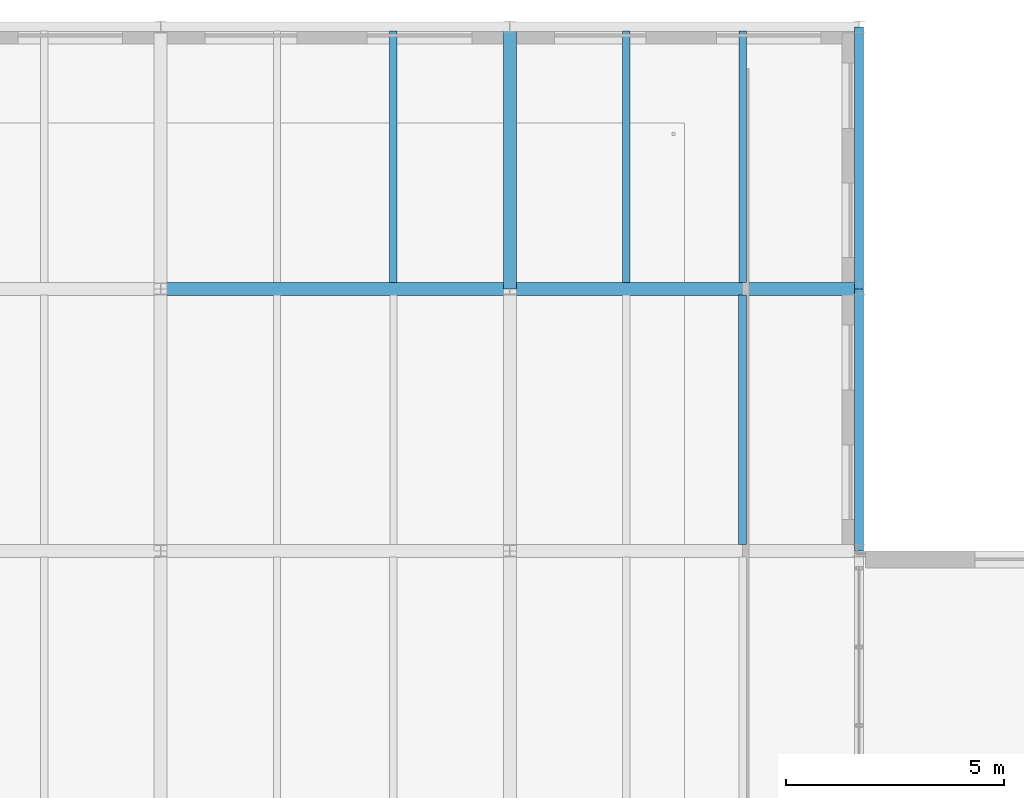
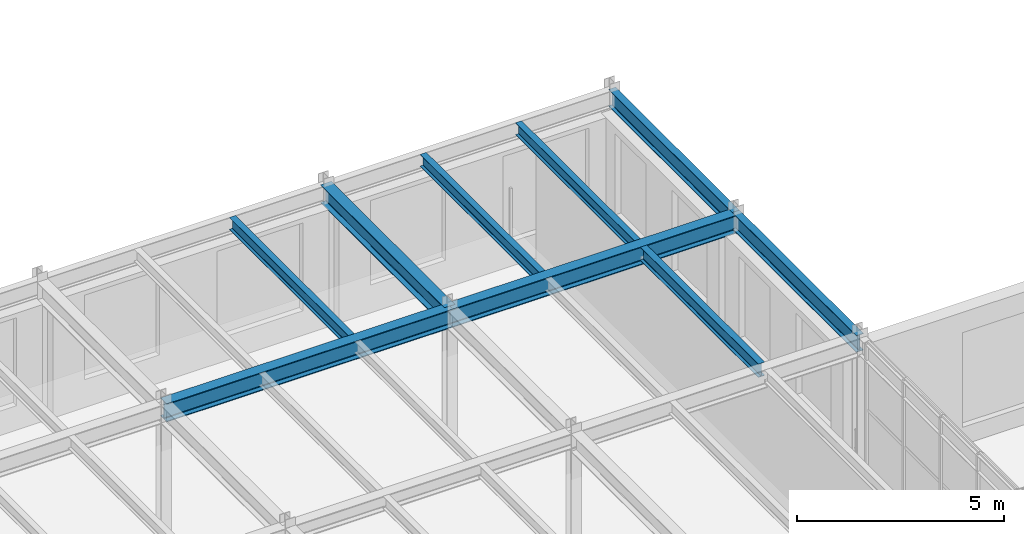
# One storey, part 60 of 122: 9 beams.
"""IFC4 building model written with IfcOpenShell, lengths in metres."""

from ifc_helpers import new_model, si_unit, direction, frame, origin, origin_2d, place, context, subcontext, project, spatial, i_section, extrude, material, material_profile, profile_set, type_object, element, save


model = new_model("IFC4")

# Units and contexts
model_context = context("Model", 3, precision=1e-05, world=origin(), true_north=direction((0.0, 1.0)))
body_context = subcontext(model_context, "Body", "Model", "MODEL_VIEW")
ifc_project = project(units=[si_unit("LENGTHUNIT", "METRE"), si_unit("AREAUNIT", "SQUARE_METRE"), si_unit("VOLUMEUNIT", "CUBIC_METRE"), si_unit("PLANEANGLEUNIT", "RADIAN"), si_unit("MASSUNIT", "GRAM", prefix="KILO")], contexts=[model_context])

# Site, building, storey
site_placement = place(None, origin())
site = spatial("IfcSite", under=ifc_project, at=site_placement, CompositionType="ELEMENT")
building_placement = place(site_placement, origin())
building = spatial("IfcBuilding", under=site, at=building_placement, Name="Sundkrona Museum", CompositionType="ELEMENT")
storey_placement = place(building_placement, frame((0.0, 0.0, 5.39990234375)))
storey = spatial("IfcBuildingStorey", under=building, at=storey_placement, Name="L01", CompositionType="ELEMENT", Elevation=5.39990234375)

# Beams
ifc_material = material(Name="Steel S355J2", Category="steel")
ifc_material_profile_1 = material_profile(ifc_material, i_section(OverallWidth=0.300048828125, OverallDepth=0.5400390625, WebThickness=0.012451171875, FlangeThickness=0.02392578125, FilletRadius=0.027099609375, at=origin_2d()), Name="HEA 550")
ifc_profile_set_1 = profile_set([ifc_material_profile_1], Name="Steel S355J2")
beam_type_1 = type_object("IfcBeamType", Name="B-HEA550", PredefinedType="BEAM", material=ifc_profile_set_1)
for number, where, z_axis, x_axis, name in (
    (1, (64.0, 108.0, 3.690185546875), (1.0, 0.0, 0.0), (0.0, 1.0, 0.0), "L01 Girder X-0940"),
    (2, (72.0, 108.0, 3.690185546875), (1.0, 0.0, 0.0), (0.0, 1.0, 0.0), "L01 Girder X-0941"),
):
    element("IfcBeam", number, at=place(storey_placement, frame(where, z_axis=z_axis, x_axis=x_axis)), inside=storey, type_object=beam_type_1, Name=name, PredefinedType="BEAM", context=body_context, shape_type="SweptSolid", body=[
        extrude(i_section(OverallWidth=0.300048828125, OverallDepth=0.5400390625, WebThickness=0.012451171875, FlangeThickness=0.02392578125, FilletRadius=0.027099609375, at=origin_2d()), origin(), (0.0, 0.0, 1.0), 8.0),
    ])
beam_1_placement = place(storey_placement, frame((72.0, 108.0, 3.690185546875), z_axis=(0.0, 1.0, 0.0), x_axis=(-1.0, 0.0, 0.0)))
element("IfcBeam", 3, at=beam_1_placement, inside=storey, type_object=beam_type_1, Name="L01 Girder Y-1008", PredefinedType="BEAM", context=body_context, shape_type="SweptSolid", body=[
    extrude(i_section(OverallWidth=0.300048828125, OverallDepth=0.5400390625, WebThickness=0.012451171875, FlangeThickness=0.02392578125, FilletRadius=0.027099609375, at=origin_2d()), origin(), (0.0, 0.0, 1.0), 6.0),
])
ifc_material_profile_2 = material_profile(ifc_material, i_section(OverallWidth=0.169921875, OverallDepth=0.360107421875, WebThickness=0.008056640625, FlangeThickness=0.0126953125, FilletRadius=0.01806640625, at=origin_2d()), Name="IPE 360")
ifc_profile_set_2 = profile_set([ifc_material_profile_2], Name="Steel S355J2")
beam_type_2 = type_object("IfcBeamType", Name="J-IPE360", PredefinedType="JOIST", material=ifc_profile_set_2)
for number, where, z_axis, x_axis, name in (
    (4, (69.333251953125, 108.14404296875, 3.780029296875), (0.0, 1.0, 0.0), (-1.0, 0.0, 0.0), "L01 Composite Joist 0622"),
    (5, (74.666748046875, 108.14404296875, 3.780029296875), (0.0, 1.0, 0.0), (-1.0, 0.0, 0.0), "L01 Composite Joist 0631"),
    (6, (77.333251953125, 108.14404296875, 3.780029296875), (0.0, 1.0, 0.0), (-1.0, 0.0, 0.0), "L01 Composite Joist 0632"),
):
    element("IfcBeam", number, at=place(storey_placement, frame(where, z_axis=z_axis, x_axis=x_axis)), inside=storey, type_object=beam_type_2, Name=name, PredefinedType="JOIST", context=body_context, shape_type="SweptSolid", body=[
        extrude(i_section(OverallWidth=0.169921875, OverallDepth=0.360107421875, WebThickness=0.008056640625, FlangeThickness=0.0126953125, FilletRadius=0.01806640625, at=origin_2d()), origin(), (0.0, 0.0, 1.0), 5.761962890625),
    ])
ifc_material_profile_3 = material_profile(ifc_material, i_section(OverallWidth=0.179931640625, OverallDepth=0.39990234375, WebThickness=0.008544921875, FlangeThickness=0.013427734375, FilletRadius=0.02099609375, at=origin_2d()), Name="IPE 400")
ifc_profile_set_3 = profile_set([ifc_material_profile_3], Name="Steel S355J2")
beam_type_3 = type_object("IfcBeamType", Name="J-IPE400", PredefinedType="JOIST", material=ifc_profile_set_3)
beam_2_placement = place(storey_placement, frame((77.333251953125, 102.14404296875, 3.760009765625), z_axis=(0.0, 1.0, 0.0), x_axis=(-1.0, 0.0, 0.0)))
element("IfcBeam", 7, at=beam_2_placement, inside=storey, type_object=beam_type_3, Name="L01 Composite Joist 0630", PredefinedType="JOIST", context=body_context, shape_type="SweptSolid", body=[
    extrude(i_section(OverallWidth=0.179931640625, OverallDepth=0.39990234375, WebThickness=0.008544921875, FlangeThickness=0.013427734375, FilletRadius=0.02099609375, at=origin_2d()), origin(), (0.0, 0.0, 1.0), 5.7119140625),
])
ifc_material_profile_4 = material_profile(ifc_material, i_section(OverallWidth=0.199951171875, OverallDepth=0.5, WebThickness=0.01025390625, FlangeThickness=0.01611328125, FilletRadius=0.02099609375, at=origin_2d()), Name="IPE 500")
ifc_profile_set_4 = profile_set([ifc_material_profile_4], Name="Steel S355J2")
beam_type_4 = type_object("IfcBeamType", Name="SP-IPE500", PredefinedType="SPANDREL", material=ifc_profile_set_4)
for number, where, z_axis, x_axis, name in (
    (8, (80.0, 102.0, 3.710205078125), (0.0, 1.0, 0.0), (-1.0, 0.0, 0.0), "L01 Girder Y-1017"),
    (9, (80.0, 108.0, 3.710205078125), (0.0, 1.0, 0.0), (-1.0, 0.0, 0.0), "L01 Girder Y-1018"),
):
    element("IfcBeam", number, at=place(storey_placement, frame(where, z_axis=z_axis, x_axis=x_axis)), inside=storey, type_object=beam_type_4, Name=name, PredefinedType="SPANDREL", context=body_context, shape_type="SweptSolid", body=[
        extrude(i_section(OverallWidth=0.199951171875, OverallDepth=0.5, WebThickness=0.01025390625, FlangeThickness=0.01611328125, FilletRadius=0.02099609375, at=origin_2d()), origin(), (0.0, 0.0, 1.0), 6.0),
    ])

save(model, "model.ifc")
